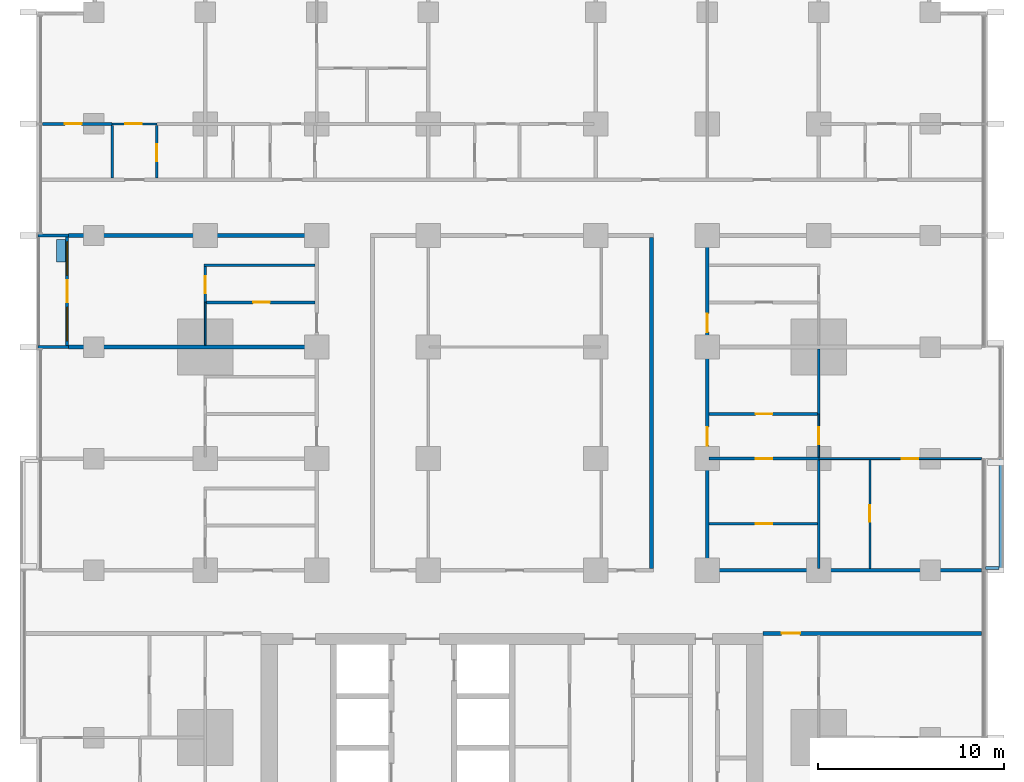
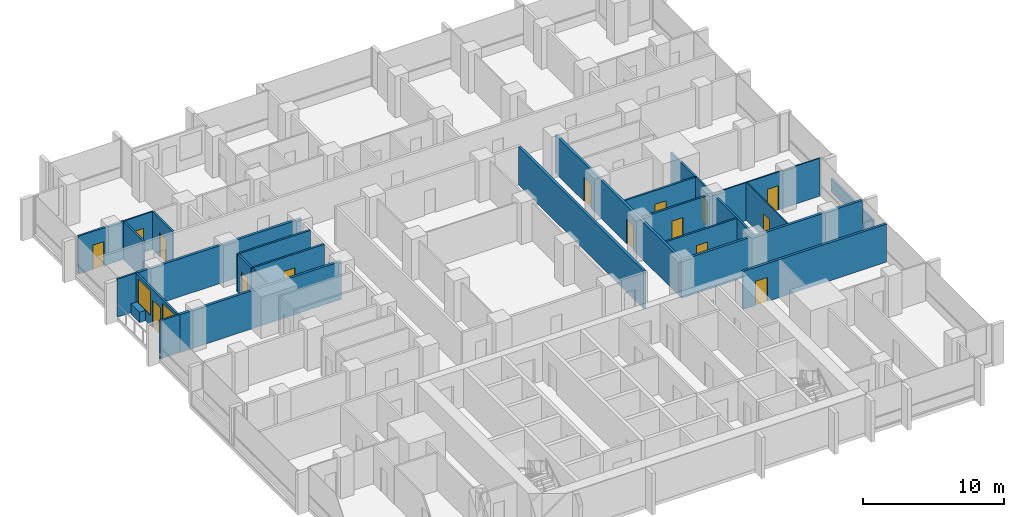
# One storey, part 10 of 17: 28 walls, 15 doors, 2 windows, 17 openings.
"""IFC4 building model written with IfcOpenShell, lengths in metres."""

from ifc_helpers import new_model, si_unit, direction, frame, frame_2d, origin, place, context, subcontext, project, spatial, rectangle, extrude, material, layer, layer_set, type_object, element, fill, save


model = new_model("IFC4")

# Units and contexts
model_context = context("Model", 3, precision=1e-05, world=origin(), true_north=direction((0.0, 1.0)))
body_context = subcontext(model_context, "Body", "Model", "MODEL_VIEW")
ifc_project = project(units=[si_unit("LENGTHUNIT", "METRE"), si_unit("AREAUNIT", "SQUARE_METRE"), si_unit("VOLUMEUNIT", "CUBIC_METRE"), si_unit("PLANEANGLEUNIT", "RADIAN"), si_unit("MASSUNIT", "GRAM", prefix="KILO")], contexts=[model_context])

# Site, building, storey
site_placement = place(None, origin())
site = spatial("IfcSite", under=ifc_project, at=site_placement, CompositionType="ELEMENT")
building_placement = place(site_placement, origin())
building = spatial("IfcBuilding", under=site, at=building_placement, Name="Finial Court Residences", CompositionType="ELEMENT")
storey_placement = place(building_placement, frame((0.0, 0.0, 61.300048828125)))
storey = spatial("IfcBuildingStorey", under=building, at=storey_placement, Name="L14", CompositionType="ELEMENT", Elevation=61.300048828125)

# Wall
ifc_material_1 = material(Name="Gypsum board")
ifc_layer_1 = layer(ifc_material_1, 0.02490234375)
ifc_material_2 = material(Name="Acoustic mineral wool in double frame")
ifc_layer_2 = layer(ifc_material_2, 0.14990234375)
ifc_layer_3 = layer(ifc_material_1, 0.02490234375)
ifc_layer_set_1 = layer_set([ifc_layer_1, ifc_layer_2, ifc_layer_3], Name="Acoustic party wall 200, 1 hour")
wall_type_1 = type_object("IfcWallType", Name="Acoustic party wall 200, 1 hour", PredefinedType="PARTITIONING", material=ifc_layer_set_1)
wall_1_placement = place(storey_placement, frame((-23.85009765625, 7.5, 0.0), z_axis=(0.0, 0.0, 1.0), x_axis=(1.0, 0.0, 0.0)))
element("IfcWall", 1, at=wall_1_placement, inside=storey, type_object=wall_type_1, Name="Partition L14-022", PredefinedType="PARTITIONING", context=body_context, shape_type="SweptSolid", body=[
    extrude(rectangle(XDim=13.25, YDim=0.199951171875, at=frame_2d((6.625, 0.0))), origin(), (0.0, 0.0, 1.0), 3.300048828125),
])

# Wall, opening, door
ifc_layer_4 = layer(ifc_material_1, 0.02490234375)
ifc_layer_5 = layer(ifc_material_2, 0.14990234375)
ifc_layer_6 = layer(ifc_material_1, 0.02490234375)
ifc_layer_set_2 = layer_set([ifc_layer_4, ifc_layer_5, ifc_layer_6], Name="Corridor wall 200, 1 hour")
wall_type_2 = type_object("IfcWallType", Name="Corridor wall 200, 1 hour", PredefinedType="PARTITIONING", material=ifc_layer_set_2)
wall_2_placement = place(storey_placement, frame((13.5, -7.89990234375, 0.0), z_axis=(0.0, 0.0, 1.0), x_axis=(1.0, 0.0, 0.0)))
wall_2 = element("IfcWall", 2, at=wall_2_placement, inside=storey, type_object=wall_type_2, Name="Partition L14-008", PredefinedType="PARTITIONING", context=body_context, shape_type="SweptSolid", body=[
    extrude(rectangle(XDim=11.75, YDim=0.199951171875, at=frame_2d((5.875, 0.0))), origin(), (0.0, 0.0, 1.0), 3.300048828125),
])
opening_1_placement = place(wall_2_placement, frame((1.0, 0.0, 0.0)))
opening_1 = element("IfcOpeningElement", 3, at=opening_1_placement, cuts=wall_2, Name="Opening L14-D006", PredefinedType="OPENING", context=body_context, shape_type="SweptSolid", body=[
    extrude(rectangle(XDim=1.0, YDim=2.10009765625, at=frame_2d((0.5, 1.050048828125))), frame((0.0, 0.10986328125, 0.0), z_axis=(0.0, -1.0, 0.0), x_axis=(1.0, 0.0, 0.0)), (0.0, 0.0, 1.0), 0.219970703125),
])
ifc_material_3 = material(Name="Timber door leaf in hollow metal frame", Category="wood")
door_type_1 = type_object("IfcDoorType", Name="Fire door set 1000 x 2100, 30 minutes", OperationType="SINGLE_SWING_LEFT", PredefinedType="DOOR", material=ifc_material_3)
door_1_placement = place(opening_1_placement, origin())
door_1 = element("IfcDoor", 4, at=door_1_placement, inside=storey, type_object=door_type_1, Name="Door L14-D006", OperationType="SINGLE_SWING_LEFT", OverallHeight=2.10009765625, OverallWidth=1.0, PredefinedType="DOOR", context=body_context, shape_type="SweptSolid", body=[
    extrude(rectangle(XDim=1.0, YDim=2.10009765625, at=frame_2d((0.5, 1.050048828125))), frame((0.0, 0.02490234375, 0.0), z_axis=(0.0, -1.0, 0.0), x_axis=(1.0, 0.0, 0.0)), (0.0, 0.0, 1.0), 0.050048828125),
])
fill(opening_1, door_1)

# Walls
wall_3_placement = place(storey_placement, frame((10.39990234375, -4.5, 0.0), z_axis=(0.0, 0.0, 1.0), x_axis=(1.0, 0.0, 0.0)))
element("IfcWall", 5, at=wall_3_placement, inside=storey, type_object=wall_type_2, Name="Partition L14-011", PredefinedType="PARTITIONING", context=body_context, shape_type="SweptSolid", body=[
    extrude(rectangle(XDim=14.85009765625, YDim=0.199951171875, at=frame_2d((7.425048828125, 0.0))), origin(), (0.0, 0.0, 1.0), 3.300048828125),
])
wall_4_placement = place(storey_placement, frame((-23.85009765625, 13.5, 0.0), z_axis=(0.0, 0.0, 1.0), x_axis=(1.0, 0.0, 0.0)))
element("IfcWall", 6, at=wall_4_placement, inside=storey, type_object=wall_type_2, Name="Partition L14-028", PredefinedType="PARTITIONING", context=body_context, shape_type="SweptSolid", body=[
    extrude(rectangle(XDim=13.4501953125, YDim=0.199951171875, at=frame_2d((6.72509765625, 0.0))), origin(), (0.0, 0.0, 1.0), 3.300048828125),
])
wall_5_placement = place(storey_placement, frame((7.5, -4.39990234375, 0.0), z_axis=(0.0, 0.0, 1.0), x_axis=(0.0, 1.0, 0.0)))
element("IfcWall", 7, at=wall_5_placement, inside=storey, type_object=wall_type_2, Name="Partition L14-075", PredefinedType="PARTITIONING", context=body_context, shape_type="SweptSolid", body=[
    extrude(rectangle(XDim=17.7998046875, YDim=0.199951171875, at=frame_2d((8.89990234375, 0.0))), origin(), (0.0, 0.0, 1.0), 3.300048828125),
])

# Wall, openings, doors
wall_6_placement = place(storey_placement, frame((10.5, -4.39990234375, 0.0), z_axis=(0.0, 0.0, 1.0), x_axis=(0.0, 1.0, 0.0)))
wall_6 = element("IfcWall", 8, at=wall_6_placement, inside=storey, type_object=wall_type_2, Name="Partition L14-076", PredefinedType="PARTITIONING", context=body_context, shape_type="SweptSolid", body=[
    extrude(rectangle(XDim=17.7998046875, YDim=0.199951171875, at=frame_2d((8.89990234375, 0.0))), origin(), (0.0, 0.0, 1.0), 3.300048828125),
])
opening_2_placement = place(wall_6_placement, frame((6.60009765625, 0.0, 0.0)))
opening_2 = element("IfcOpeningElement", 9, at=opening_2_placement, cuts=wall_6, Name="Opening L14-D050", PredefinedType="OPENING", context=body_context, shape_type="SweptSolid", body=[
    extrude(rectangle(XDim=1.0, YDim=2.10009765625, at=frame_2d((0.5, 1.050048828125))), frame((0.0, 0.10986328125, 0.0), z_axis=(0.0, -1.0, 0.0), x_axis=(1.0, 0.0, 0.0)), (0.0, 0.0, 1.0), 0.219970703125),
])
opening_3_placement = place(wall_6_placement, frame((12.699951171875, 0.0, 0.0)))
opening_3 = element("IfcOpeningElement", 10, at=opening_3_placement, cuts=wall_6, Name="Opening L14-D051", PredefinedType="OPENING", context=body_context, shape_type="SweptSolid", body=[
    extrude(rectangle(XDim=1.0, YDim=2.10009765625, at=frame_2d((0.5, 1.050048828125))), frame((0.0, 0.10986328125, 0.0), z_axis=(0.0, -1.0, 0.0), x_axis=(1.0, 0.0, 0.0)), (0.0, 0.0, 1.0), 0.219970703125),
])
door_2_placement = place(opening_2_placement, origin())
door_2 = element("IfcDoor", 11, at=door_2_placement, inside=storey, type_object=door_type_1, Name="Door L14-D050", OperationType="SINGLE_SWING_LEFT", OverallHeight=2.10009765625, OverallWidth=1.0, PredefinedType="DOOR", context=body_context, shape_type="SweptSolid", body=[
    extrude(rectangle(XDim=1.0, YDim=2.10009765625, at=frame_2d((0.5, 1.050048828125))), frame((0.0, 0.02490234375, 0.0), z_axis=(0.0, -1.0, 0.0), x_axis=(1.0, 0.0, 0.0)), (0.0, 0.0, 1.0), 0.050048828125),
])
fill(opening_2, door_2)
door_3_placement = place(opening_3_placement, origin())
door_3 = element("IfcDoor", 12, at=door_3_placement, inside=storey, type_object=door_type_1, Name="Door L14-D051", OperationType="SINGLE_SWING_RIGHT", OverallHeight=2.10009765625, OverallWidth=1.0, PredefinedType="DOOR", context=body_context, shape_type="SweptSolid", body=[
    extrude(rectangle(XDim=1.0, YDim=2.10009765625, at=frame_2d((0.5, 1.050048828125))), frame((0.0, 0.02490234375, 0.0), z_axis=(0.0, -1.0, 0.0), x_axis=(1.0, 0.0, 0.0)), (0.0, 0.0, 1.0), 0.050048828125),
])
fill(opening_3, door_3)

# Wall, opening, door
ifc_layer_7 = layer(ifc_material_1, 0.012451171875)
ifc_material_4 = material(Name="Mineral wool in light-gauge frame")
ifc_layer_8 = layer(ifc_material_4, 0.074951171875)
ifc_layer_9 = layer(ifc_material_1, 0.012451171875)
ifc_layer_set_3 = layer_set([ifc_layer_7, ifc_layer_8, ifc_layer_9], Name="Gypsum board partition 100")
wall_type_3 = type_object("IfcWallType", Name="Gypsum board partition 100", PredefinedType="PARTITIONING", material=ifc_layer_set_3)
wall_7_placement = place(storey_placement, frame((16.5, 1.5, 0.0), z_axis=(0.0, 0.0, 1.0), x_axis=(1.0, 0.0, 0.0)))
wall_7 = element("IfcWall", 13, at=wall_7_placement, inside=storey, type_object=wall_type_3, Name="Partition L14-015", PredefinedType="PARTITIONING", context=body_context, shape_type="SweptSolid", body=[
    extrude(rectangle(XDim=8.75, YDim=0.10009765625, at=frame_2d((4.375, 0.0))), origin(), (0.0, 0.0, 1.0), 3.300048828125),
])
opening_4_placement = place(wall_7_placement, frame((4.449951171875, 0.0, 0.0)))
opening_4 = element("IfcOpeningElement", 14, at=opening_4_placement, cuts=wall_7, Name="Opening L14-D012", PredefinedType="OPENING", context=body_context, shape_type="SweptSolid", body=[
    extrude(rectangle(XDim=0.89990234375, YDim=2.10009765625, at=frame_2d((0.449951171875, 1.050048828125))), frame((0.0, 0.06005859375, 0.0), z_axis=(0.0, -1.0, 0.0), x_axis=(1.0, 0.0, 0.0)), (0.0, 0.0, 1.0), 0.1201171875),
])
ifc_material_5 = material(Name="Timber door leaf in timber frame", Category="wood")
door_type_2 = type_object("IfcDoorType", Name="Door set 900 x 2100", OperationType="SINGLE_SWING_LEFT", PredefinedType="DOOR", material=ifc_material_5)
door_4_placement = place(opening_4_placement, origin())
door_4 = element("IfcDoor", 15, at=door_4_placement, inside=storey, type_object=door_type_2, Name="Door L14-D012", OperationType="SINGLE_SWING_RIGHT", OverallHeight=2.10009765625, OverallWidth=0.89990234375, PredefinedType="DOOR", context=body_context, shape_type="SweptSolid", body=[
    extrude(rectangle(XDim=0.89990234375, YDim=2.10009765625, at=frame_2d((0.449951171875, 1.050048828125))), frame((0.0, 0.02490234375, 0.0), z_axis=(0.0, -1.0, 0.0), x_axis=(1.0, 0.0, 0.0)), (0.0, 0.0, 1.0), 0.050048828125),
])
fill(opening_4, door_4)

wall_8_placement = place(storey_placement, frame((-21.5, 19.5, 0.0), z_axis=(0.0, 0.0, 1.0), x_axis=(1.0, 0.0, 0.0)))
wall_8 = element("IfcWall", 16, at=wall_8_placement, inside=storey, type_object=wall_type_3, Name="Partition L14-032", PredefinedType="PARTITIONING", context=body_context, shape_type="SweptSolid", body=[
    extrude(rectangle(XDim=2.39990234375, YDim=0.10009765625, at=frame_2d((1.199951171875, 0.0))), origin(), (0.0, 0.0, 1.0), 3.300048828125),
])
opening_5_placement = place(wall_8_placement, frame((0.699951171875, 0.0, 0.0)))
opening_5 = element("IfcOpeningElement", 17, at=opening_5_placement, cuts=wall_8, Name="Opening L14-D024", PredefinedType="OPENING", context=body_context, shape_type="SweptSolid", body=[
    extrude(rectangle(XDim=0.89990234375, YDim=2.10009765625, at=frame_2d((0.449951171875, 1.050048828125))), frame((0.0, 0.06005859375, 0.0), z_axis=(0.0, -1.0, 0.0), x_axis=(1.0, 0.0, 0.0)), (0.0, 0.0, 1.0), 0.1201171875),
])
door_5_placement = place(opening_5_placement, origin())
door_5 = element("IfcDoor", 18, at=door_5_placement, inside=storey, type_object=door_type_2, Name="Door L14-D024", OperationType="SINGLE_SWING_RIGHT", OverallHeight=2.10009765625, OverallWidth=0.89990234375, PredefinedType="DOOR", context=body_context, shape_type="SweptSolid", body=[
    extrude(rectangle(XDim=0.89990234375, YDim=2.10009765625, at=frame_2d((0.449951171875, 1.050048828125))), frame((0.0, 0.02490234375, 0.0), z_axis=(0.0, -1.0, 0.0), x_axis=(1.0, 0.0, 0.0)), (0.0, 0.0, 1.0), 0.050048828125),
])
fill(opening_5, door_5)

# Wall
wall_9_placement = place(storey_placement, frame((-16.5, 7.60009765625, 0.0), z_axis=(0.0, 0.0, 1.0), x_axis=(0.0, 1.0, 0.0)))
element("IfcWall", 19, at=wall_9_placement, inside=storey, type_object=wall_type_3, Name="Partition L14-052", PredefinedType="PARTITIONING", context=body_context, shape_type="SweptSolid", body=[
    extrude(rectangle(XDim=2.2998046875, YDim=0.10009765625, at=frame_2d((1.14990234375, 0.0))), origin(), (0.0, 0.0, 1.0), 3.300048828125),
])

# Wall, opening, door
wall_10_placement = place(storey_placement, frame((16.5, 1.574951171875, 0.0), z_axis=(0.0, 0.0, 1.0), x_axis=(0.0, 1.0, 0.0)))
wall_10 = element("IfcWall", 20, at=wall_10_placement, inside=storey, type_object=wall_type_3, Name="Partition L14-080", PredefinedType="PARTITIONING", context=body_context, shape_type="SweptSolid", body=[
    extrude(rectangle(XDim=2.324951171875, YDim=0.10009765625, at=frame_2d((1.16259765625, 0.0))), origin(), (0.0, 0.0, 1.0), 3.300048828125),
])
opening_6_placement = place(wall_10_placement, frame((0.699951171875, 0.0, 0.0)))
opening_6 = element("IfcOpeningElement", 21, at=opening_6_placement, cuts=wall_10, Name="Opening L14-D053", PredefinedType="OPENING", context=body_context, shape_type="SweptSolid", body=[
    extrude(rectangle(XDim=0.89990234375, YDim=2.10009765625, at=frame_2d((0.449951171875, 1.050048828125))), frame((0.0, 0.06005859375, 0.0), z_axis=(0.0, -1.0, 0.0), x_axis=(1.0, 0.0, 0.0)), (0.0, 0.0, 1.0), 0.1201171875),
])
door_6_placement = place(opening_6_placement, origin())
door_6 = element("IfcDoor", 22, at=door_6_placement, inside=storey, type_object=door_type_2, Name="Door L14-D053", OperationType="SINGLE_SWING_LEFT", OverallHeight=2.10009765625, OverallWidth=0.89990234375, PredefinedType="DOOR", context=body_context, shape_type="SweptSolid", body=[
    extrude(rectangle(XDim=0.89990234375, YDim=2.10009765625, at=frame_2d((0.449951171875, 1.050048828125))), frame((0.0, 0.02490234375, 0.0), z_axis=(0.0, -1.0, 0.0), x_axis=(1.0, 0.0, 0.0)), (0.0, 0.0, 1.0), 0.050048828125),
])
fill(opening_6, door_6)

wall_11_placement = place(storey_placement, frame((19.25, -4.39990234375, 0.0), z_axis=(0.0, 0.0, 1.0), x_axis=(0.0, 1.0, 0.0)))
wall_11 = element("IfcWall", 23, at=wall_11_placement, inside=storey, type_object=wall_type_3, Name="Partition L14-087", PredefinedType="PARTITIONING", context=body_context, shape_type="SweptSolid", body=[
    extrude(rectangle(XDim=5.849853515625, YDim=0.10009765625, at=frame_2d((2.9248046875, 0.0))), origin(), (0.0, 0.0, 1.0), 3.300048828125),
])
opening_7_placement = place(wall_11_placement, frame((2.5, 0.0, 0.0)))
opening_7 = element("IfcOpeningElement", 24, at=opening_7_placement, cuts=wall_11, Name="Opening L14-D056", PredefinedType="OPENING", context=body_context, shape_type="SweptSolid", body=[
    extrude(rectangle(XDim=0.89990234375, YDim=2.10009765625, at=frame_2d((0.449951171875, 1.050048828125))), frame((0.0, 0.06005859375, 0.0), z_axis=(0.0, -1.0, 0.0), x_axis=(1.0, 0.0, 0.0)), (0.0, 0.0, 1.0), 0.1201171875),
])
door_7_placement = place(opening_7_placement, origin())
door_7 = element("IfcDoor", 25, at=door_7_placement, inside=storey, type_object=door_type_2, Name="Door L14-D056", OperationType="SINGLE_SWING_LEFT", OverallHeight=2.10009765625, OverallWidth=0.89990234375, PredefinedType="DOOR", context=body_context, shape_type="SweptSolid", body=[
    extrude(rectangle(XDim=0.89990234375, YDim=2.10009765625, at=frame_2d((0.449951171875, 1.050048828125))), frame((0.0, 0.02490234375, 0.0), z_axis=(0.0, -1.0, 0.0), x_axis=(1.0, 0.0, 0.0)), (0.0, 0.0, 1.0), 0.050048828125),
])
fill(opening_7, door_7)

ifc_material_6 = material(Name="Moisture-resistant gypsum board")
ifc_layer_10 = layer(ifc_material_6, 0.012451171875)
ifc_layer_11 = layer(ifc_material_4, 0.125)
ifc_layer_12 = layer(ifc_material_6, 0.012451171875)
ifc_layer_set_4 = layer_set([ifc_layer_10, ifc_layer_11, ifc_layer_12], Name="Gypsum board wet-area partition 150")
wall_type_4 = type_object("IfcWallType", Name="Gypsum board wet-area partition 150", PredefinedType="PARTITIONING", material=ifc_layer_set_4)
wall_12_placement = place(storey_placement, frame((10.60009765625, -2.0, 0.0), z_axis=(0.0, 0.0, 1.0), x_axis=(1.0, 0.0, 0.0)))
wall_12 = element("IfcWall", 26, at=wall_12_placement, inside=storey, type_object=wall_type_4, Name="Partition L14-013", PredefinedType="PARTITIONING", context=body_context, shape_type="SweptSolid", body=[
    extrude(rectangle(XDim=5.824951171875, YDim=0.14990234375, at=frame_2d((2.91259765625, 0.0))), origin(), (0.0, 0.0, 1.0), 3.300048828125),
])
opening_8_placement = place(wall_12_placement, frame((2.5, 0.0, 0.0)))
opening_8 = element("IfcOpeningElement", 27, at=opening_8_placement, cuts=wall_12, Name="Opening L14-D011", PredefinedType="OPENING", context=body_context, shape_type="SweptSolid", body=[
    extrude(rectangle(XDim=0.89990234375, YDim=2.10009765625, at=frame_2d((0.449951171875, 1.050048828125))), frame((0.0, 0.0849609375, 0.0), z_axis=(0.0, -1.0, 0.0), x_axis=(1.0, 0.0, 0.0)), (0.0, 0.0, 1.0), 0.169921875),
])
door_8_placement = place(opening_8_placement, origin())
door_8 = element("IfcDoor", 28, at=door_8_placement, inside=storey, type_object=door_type_2, Name="Door L14-D011", OperationType="SINGLE_SWING_RIGHT", OverallHeight=2.10009765625, OverallWidth=0.89990234375, PredefinedType="DOOR", context=body_context, shape_type="SweptSolid", body=[
    extrude(rectangle(XDim=0.89990234375, YDim=2.10009765625, at=frame_2d((0.449951171875, 1.050048828125))), frame((0.0, 0.02490234375, 0.0), z_axis=(0.0, -1.0, 0.0), x_axis=(1.0, 0.0, 0.0)), (0.0, 0.0, 1.0), 0.050048828125),
])
fill(opening_8, door_8)

wall_13_placement = place(storey_placement, frame((10.60009765625, 1.5, 0.0), z_axis=(0.0, 0.0, 1.0), x_axis=(1.0, 0.0, 0.0)))
wall_13 = element("IfcWall", 29, at=wall_13_placement, inside=storey, type_object=wall_type_4, Name="Partition L14-017", PredefinedType="PARTITIONING", context=body_context, shape_type="SweptSolid", body=[
    extrude(rectangle(XDim=5.89990234375, YDim=0.14990234375, at=frame_2d((2.949951171875, 0.0))), origin(), (0.0, 0.0, 1.0), 3.300048828125),
])
opening_9_placement = place(wall_13_placement, frame((2.5, 0.0, 0.0)))
opening_9 = element("IfcOpeningElement", 30, at=opening_9_placement, cuts=wall_13, Name="Opening L14-D013", PredefinedType="OPENING", context=body_context, shape_type="SweptSolid", body=[
    extrude(rectangle(XDim=0.89990234375, YDim=2.10009765625, at=frame_2d((0.449951171875, 1.050048828125))), frame((0.0, 0.0849609375, 0.0), z_axis=(0.0, -1.0, 0.0), x_axis=(1.0, 0.0, 0.0)), (0.0, 0.0, 1.0), 0.169921875),
])
door_9_placement = place(opening_9_placement, origin())
door_9 = element("IfcDoor", 31, at=door_9_placement, inside=storey, type_object=door_type_2, Name="Door L14-D013", OperationType="SINGLE_SWING_RIGHT", OverallHeight=2.10009765625, OverallWidth=0.89990234375, PredefinedType="DOOR", context=body_context, shape_type="SweptSolid", body=[
    extrude(rectangle(XDim=0.89990234375, YDim=2.10009765625, at=frame_2d((0.449951171875, 1.050048828125))), frame((0.0, 0.02490234375, 0.0), z_axis=(0.0, -1.0, 0.0), x_axis=(1.0, 0.0, 0.0)), (0.0, 0.0, 1.0), 0.050048828125),
])
fill(opening_9, door_9)

wall_14_placement = place(storey_placement, frame((10.60009765625, 3.89990234375, 0.0), z_axis=(0.0, 0.0, 1.0), x_axis=(1.0, 0.0, 0.0)))
wall_14 = element("IfcWall", 32, at=wall_14_placement, inside=storey, type_object=wall_type_4, Name="Partition L14-019", PredefinedType="PARTITIONING", context=body_context, shape_type="SweptSolid", body=[
    extrude(rectangle(XDim=5.824951171875, YDim=0.14990234375, at=frame_2d((2.91259765625, 0.0))), origin(), (0.0, 0.0, 1.0), 3.300048828125),
])
opening_10_placement = place(wall_14_placement, frame((2.5, 0.0, 0.0)))
opening_10 = element("IfcOpeningElement", 33, at=opening_10_placement, cuts=wall_14, Name="Opening L14-D014", PredefinedType="OPENING", context=body_context, shape_type="SweptSolid", body=[
    extrude(rectangle(XDim=0.89990234375, YDim=2.10009765625, at=frame_2d((0.449951171875, 1.050048828125))), frame((0.0, 0.0849609375, 0.0), z_axis=(0.0, -1.0, 0.0), x_axis=(1.0, 0.0, 0.0)), (0.0, 0.0, 1.0), 0.169921875),
])
door_10_placement = place(opening_10_placement, origin())
door_10 = element("IfcDoor", 34, at=door_10_placement, inside=storey, type_object=door_type_2, Name="Door L14-D014", OperationType="SINGLE_SWING_LEFT", OverallHeight=2.10009765625, OverallWidth=0.89990234375, PredefinedType="DOOR", context=body_context, shape_type="SweptSolid", body=[
    extrude(rectangle(XDim=0.89990234375, YDim=2.10009765625, at=frame_2d((0.449951171875, 1.050048828125))), frame((0.0, 0.02490234375, 0.0), z_axis=(0.0, -1.0, 0.0), x_axis=(1.0, 0.0, 0.0)), (0.0, 0.0, 1.0), 0.050048828125),
])
fill(opening_10, door_10)

wall_15_placement = place(storey_placement, frame((-16.425048828125, 9.89990234375, 0.0), z_axis=(0.0, 0.0, 1.0), x_axis=(1.0, 0.0, 0.0)))
wall_15 = element("IfcWall", 35, at=wall_15_placement, inside=storey, type_object=wall_type_4, Name="Partition L14-024", PredefinedType="PARTITIONING", context=body_context, shape_type="SweptSolid", body=[
    extrude(rectangle(XDim=5.824951171875, YDim=0.14990234375, at=frame_2d((2.91259765625, 0.0))), origin(), (0.0, 0.0, 1.0), 3.300048828125),
])
opening_11_placement = place(wall_15_placement, frame((2.5, 0.0, 0.0)))
opening_11 = element("IfcOpeningElement", 36, at=opening_11_placement, cuts=wall_15, Name="Opening L14-D015", PredefinedType="OPENING", context=body_context, shape_type="SweptSolid", body=[
    extrude(rectangle(XDim=0.89990234375, YDim=2.10009765625, at=frame_2d((0.449951171875, 1.050048828125))), frame((0.0, 0.0849609375, 0.0), z_axis=(0.0, -1.0, 0.0), x_axis=(1.0, 0.0, 0.0)), (0.0, 0.0, 1.0), 0.169921875),
])
door_11_placement = place(opening_11_placement, origin())
door_11 = element("IfcDoor", 37, at=door_11_placement, inside=storey, type_object=door_type_2, Name="Door L14-D015", OperationType="SINGLE_SWING_RIGHT", OverallHeight=2.10009765625, OverallWidth=0.89990234375, PredefinedType="DOOR", context=body_context, shape_type="SweptSolid", body=[
    extrude(rectangle(XDim=0.89990234375, YDim=2.10009765625, at=frame_2d((0.449951171875, 1.050048828125))), frame((0.0, 0.02490234375, 0.0), z_axis=(0.0, -1.0, 0.0), x_axis=(1.0, 0.0, 0.0)), (0.0, 0.0, 1.0), 0.050048828125),
])
fill(opening_11, door_11)

# Wall
wall_16_placement = place(storey_placement, frame((-16.574951171875, 11.89990234375, 0.0), z_axis=(0.0, 0.0, 1.0), x_axis=(1.0, 0.0, 0.0)))
element("IfcWall", 38, at=wall_16_placement, inside=storey, type_object=wall_type_4, Name="Partition L14-026", PredefinedType="PARTITIONING", context=body_context, shape_type="SweptSolid", body=[
    extrude(rectangle(XDim=5.974853515625, YDim=0.14990234375, at=frame_2d((2.9873046875, 0.0))), origin(), (0.0, 0.0, 1.0), 3.300048828125),
])

# Wall, opening, door
wall_17_placement = place(storey_placement, frame((-25.25, 19.5, 0.0), z_axis=(0.0, 0.0, 1.0), x_axis=(1.0, 0.0, 0.0)))
wall_17 = element("IfcWall", 39, at=wall_17_placement, inside=storey, type_object=wall_type_4, Name="Partition L14-036", PredefinedType="PARTITIONING", context=body_context, shape_type="SweptSolid", body=[
    extrude(rectangle(XDim=3.75, YDim=0.14990234375, at=frame_2d((1.875, 0.0))), origin(), (0.0, 0.0, 1.0), 3.300048828125),
])
opening_12_placement = place(wall_17_placement, frame((1.199951171875, 0.0, 0.0)))
opening_12 = element("IfcOpeningElement", 40, at=opening_12_placement, cuts=wall_17, Name="Opening L14-D028", PredefinedType="OPENING", context=body_context, shape_type="SweptSolid", body=[
    extrude(rectangle(XDim=0.89990234375, YDim=2.10009765625, at=frame_2d((0.449951171875, 1.050048828125))), frame((0.0, 0.0849609375, 0.0), z_axis=(0.0, -1.0, 0.0), x_axis=(1.0, 0.0, 0.0)), (0.0, 0.0, 1.0), 0.169921875),
])
door_12_placement = place(opening_12_placement, origin())
door_12 = element("IfcDoor", 41, at=door_12_placement, inside=storey, type_object=door_type_2, Name="Door L14-D028", OperationType="SINGLE_SWING_LEFT", OverallHeight=2.10009765625, OverallWidth=0.89990234375, PredefinedType="DOOR", context=body_context, shape_type="SweptSolid", body=[
    extrude(rectangle(XDim=0.89990234375, YDim=2.10009765625, at=frame_2d((0.449951171875, 1.050048828125))), frame((0.0, 0.02490234375, 0.0), z_axis=(0.0, -1.0, 0.0), x_axis=(1.0, 0.0, 0.0)), (0.0, 0.0, 1.0), 0.050048828125),
])
fill(opening_12, door_12)

# Wall
wall_18_placement = place(storey_placement, frame((-21.5, 16.60009765625, 0.0), z_axis=(0.0, 0.0, 1.0), x_axis=(0.0, 1.0, 0.0)))
element("IfcWall", 42, at=wall_18_placement, inside=storey, type_object=wall_type_4, Name="Partition L14-044", PredefinedType="PARTITIONING", context=body_context, shape_type="SweptSolid", body=[
    extrude(rectangle(XDim=2.824951171875, YDim=0.14990234375, at=frame_2d((1.41259765625, 0.0))), origin(), (0.0, 0.0, 1.0), 3.300048828125),
])

# Wall, opening, door
wall_19_placement = place(storey_placement, frame((-19.10009765625, 16.60009765625, 0.0), z_axis=(0.0, 0.0, 1.0), x_axis=(0.0, 1.0, 0.0)))
wall_19 = element("IfcWall", 43, at=wall_19_placement, inside=storey, type_object=wall_type_4, Name="Partition L14-048", PredefinedType="PARTITIONING", context=body_context, shape_type="SweptSolid", body=[
    extrude(rectangle(XDim=2.824951171875, YDim=0.14990234375, at=frame_2d((1.41259765625, 0.0))), origin(), (0.0, 0.0, 1.0), 3.300048828125),
])
opening_13_placement = place(wall_19_placement, frame((0.89990234375, 0.0, 0.0)))
opening_13 = element("IfcOpeningElement", 44, at=opening_13_placement, cuts=wall_19, Name="Opening L14-D036", PredefinedType="OPENING", context=body_context, shape_type="SweptSolid", body=[
    extrude(rectangle(XDim=0.89990234375, YDim=2.10009765625, at=frame_2d((0.449951171875, 1.050048828125))), frame((0.0, 0.0849609375, 0.0), z_axis=(0.0, -1.0, 0.0), x_axis=(1.0, 0.0, 0.0)), (0.0, 0.0, 1.0), 0.169921875),
])
door_13_placement = place(opening_13_placement, origin())
door_13 = element("IfcDoor", 45, at=door_13_placement, inside=storey, type_object=door_type_2, Name="Door L14-D036", OperationType="SINGLE_SWING_RIGHT", OverallHeight=2.10009765625, OverallWidth=0.89990234375, PredefinedType="DOOR", context=body_context, shape_type="SweptSolid", body=[
    extrude(rectangle(XDim=0.89990234375, YDim=2.10009765625, at=frame_2d((0.449951171875, 1.050048828125))), frame((0.0, 0.02490234375, 0.0), z_axis=(0.0, -1.0, 0.0), x_axis=(1.0, 0.0, 0.0)), (0.0, 0.0, 1.0), 0.050048828125),
])
fill(opening_13, door_13)

wall_20_placement = place(storey_placement, frame((-16.5, 9.89990234375, 0.0), z_axis=(0.0, 0.0, 1.0), x_axis=(0.0, 1.0, 0.0)))
wall_20 = element("IfcWall", 46, at=wall_20_placement, inside=storey, type_object=wall_type_4, Name="Partition L14-059", PredefinedType="PARTITIONING", context=body_context, shape_type="SweptSolid", body=[
    extrude(rectangle(XDim=1.925048828125, YDim=0.14990234375, at=frame_2d((0.96240234375, 0.0))), origin(), (0.0, 0.0, 1.0), 3.300048828125),
])
opening_14_placement = place(wall_20_placement, frame((0.5, 0.0, 0.0)))
opening_14 = element("IfcOpeningElement", 47, at=opening_14_placement, cuts=wall_20, Name="Opening L14-D042", PredefinedType="OPENING", context=body_context, shape_type="SweptSolid", body=[
    extrude(rectangle(XDim=0.89990234375, YDim=2.10009765625, at=frame_2d((0.449951171875, 1.050048828125))), frame((0.0, 0.0849609375, 0.0), z_axis=(0.0, -1.0, 0.0), x_axis=(1.0, 0.0, 0.0)), (0.0, 0.0, 1.0), 0.169921875),
])
door_14_placement = place(opening_14_placement, origin())
door_14 = element("IfcDoor", 48, at=door_14_placement, inside=storey, type_object=door_type_2, Name="Door L14-D042", OperationType="SINGLE_SWING_RIGHT", OverallHeight=2.10009765625, OverallWidth=0.89990234375, PredefinedType="DOOR", context=body_context, shape_type="SweptSolid", body=[
    extrude(rectangle(XDim=0.89990234375, YDim=2.10009765625, at=frame_2d((0.449951171875, 1.050048828125))), frame((0.0, 0.02490234375, 0.0), z_axis=(0.0, -1.0, 0.0), x_axis=(1.0, 0.0, 0.0)), (0.0, 0.0, 1.0), 0.050048828125),
])
fill(opening_14, door_14)

# Walls
wall_21_placement = place(storey_placement, frame((16.5, -4.39990234375, 0.0), z_axis=(0.0, 0.0, 1.0), x_axis=(0.0, 1.0, 0.0)))
element("IfcWall", 49, at=wall_21_placement, inside=storey, type_object=wall_type_4, Name="Partition L14-083", PredefinedType="PARTITIONING", context=body_context, shape_type="SweptSolid", body=[
    extrude(rectangle(XDim=5.824951171875, YDim=0.14990234375, at=frame_2d((2.91259765625, 0.0))), origin(), (0.0, 0.0, 1.0), 3.300048828125),
])
wall_22_placement = place(storey_placement, frame((16.5, 3.89990234375, 0.0), z_axis=(0.0, 0.0, 1.0), x_axis=(0.0, 1.0, 0.0)))
element("IfcWall", 50, at=wall_22_placement, inside=storey, type_object=wall_type_4, Name="Partition L14-084", PredefinedType="PARTITIONING", context=body_context, shape_type="SweptSolid", body=[
    extrude(rectangle(XDim=3.5, YDim=0.14990234375, at=frame_2d((1.75, 0.0))), origin(), (0.0, 0.0, 1.0), 3.300048828125),
])
ifc_material_7 = material(Name="Concrete C35/45", Category="concrete")
ifc_layer_13 = layer(ifc_material_7, 0.14990234375)
ifc_layer_set_5 = layer_set([ifc_layer_13], Name="Ledge parapet, Concrete C35/45 150")
wall_type_5 = type_object("IfcWallType", Name="Ledge parapet, Concrete C35/45 150", PredefinedType="PARAPET", material=ifc_layer_set_5)
wall_23_placement = place(storey_placement, frame((26.27490234375, 1.5400390625, 0.0), z_axis=(0.0, 0.0, 1.0), x_axis=(0.0, -1.0, 0.0)))
element("IfcWall", 51, at=wall_23_placement, inside=storey, type_object=wall_type_5, Name="E-L14-LED1-P1", PredefinedType="PARAPET", context=body_context, shape_type="SweptSolid", body=[
    extrude(rectangle(XDim=5.989990234375, YDim=0.14990234375, at=frame_2d((2.9951171875, 0.0))), origin(), (0.0, 0.0, 1.0), 1.14990234375),
])
wall_24_placement = place(storey_placement, frame((26.199951171875, -4.375, 0.0), z_axis=(0.0, 0.0, 1.0), x_axis=(-1.0, 0.0, 0.0)))
element("IfcWall", 52, at=wall_24_placement, inside=storey, type_object=wall_type_5, Name="E-L14-LED1-P2", PredefinedType="PARAPET", context=body_context, shape_type="SweptSolid", body=[
    extrude(rectangle(XDim=0.739990234375, YDim=0.14990234375, at=frame_2d((0.3701171875, 0.0))), origin(), (0.0, 0.0, 1.0), 1.14990234375),
])
ifc_material_8 = material(Name="Natural limestone", Category="masonry")
ifc_layer_14 = layer(ifc_material_8, 0.14990234375)
ifc_layer_set_6 = layer_set([ifc_layer_14], Name="Limestone clad wall 150")
wall_type_6 = type_object("IfcWallType", Name="Limestone clad wall 150", PredefinedType="SOLIDWALL", material=ifc_layer_set_6)
for number, where, z_axis, x_axis, name in (
    (53, (-23.85009765625, 7.5, 0.0), (0.0, 0.0, 1.0), (-1.0, 0.0, 0.0), "E-L14-BALW5-P1"),
    (54, (-23.85009765625, 13.5, 0.0), (0.0, 0.0, 1.0), (-1.0, 0.0, 0.0), "E-L14-BALW5-P2"),
):
    element("IfcWall", number, at=place(storey_placement, frame(where, z_axis=z_axis, x_axis=x_axis)), inside=storey, type_object=wall_type_6, Name=name, PredefinedType="SOLIDWALL", context=body_context, shape_type="SweptSolid", body=[
        extrude(rectangle(XDim=1.64990234375, YDim=0.14990234375, at=frame_2d((0.824951171875, 0.0))), origin(), (0.0, 0.0, 1.0), 3.300048828125),
    ])

# Wall, openings, door, windows
wall_25_placement = place(storey_placement, frame((-23.925048828125, 7.574951171875, 0.0), z_axis=(0.0, 0.0, 1.0), x_axis=(0.0, 1.0, 0.0)))
wall_25 = element("IfcWall", 55, at=wall_25_placement, inside=storey, type_object=wall_type_6, Name="E-L14-L14-BALW5-W", PredefinedType="SOLIDWALL", context=body_context, shape_type="SweptSolid", body=[
    extrude(rectangle(XDim=5.85009765625, YDim=0.14990234375, at=frame_2d((2.925048828125, 0.0))), origin(), (0.0, 0.0, 1.0), 3.300048828125),
])
opening_15_placement = place(wall_25_placement, frame((2.324951171875, 0.0, 0.0)))
opening_15 = element("IfcOpeningElement", 56, at=opening_15_placement, cuts=wall_25, Name="Opening DE14-02", PredefinedType="OPENING", context=body_context, shape_type="SweptSolid", body=[
    extrude(rectangle(XDim=1.199951171875, YDim=2.39990234375, at=frame_2d((0.60009765625, 1.199951171875))), frame((0.0, 0.0849609375, 0.0), z_axis=(0.0, -1.0, 0.0), x_axis=(1.0, 0.0, 0.0)), (0.0, 0.0, 1.0), 0.169921875),
])
opening_16_placement = place(wall_25_placement, frame((0.262451171875, 0.0, 0.89990234375)))
opening_16 = element("IfcOpeningElement", 57, at=opening_16_placement, cuts=wall_25, Name="Opening WE14-11", PredefinedType="OPENING", context=body_context, shape_type="SweptSolid", body=[
    extrude(rectangle(XDim=1.800048828125, YDim=2.10009765625, at=frame_2d((0.89990234375, 1.050048828125))), frame((0.0, 0.0849609375, 0.0), z_axis=(0.0, -1.0, 0.0), x_axis=(1.0, 0.0, 0.0)), (0.0, 0.0, 1.0), 0.169921875),
])
opening_17_placement = place(wall_25_placement, frame((3.78759765625, 0.0, 0.89990234375)))
opening_17 = element("IfcOpeningElement", 58, at=opening_17_placement, cuts=wall_25, Name="Opening WE14-12", PredefinedType="OPENING", context=body_context, shape_type="SweptSolid", body=[
    extrude(rectangle(XDim=1.800048828125, YDim=2.10009765625, at=frame_2d((0.89990234375, 1.050048828125))), frame((0.0, 0.0849609375, 0.0), z_axis=(0.0, -1.0, 0.0), x_axis=(1.0, 0.0, 0.0)), (0.0, 0.0, 1.0), 0.169921875),
])
ifc_material_9 = material(Name="Bronze anodised aluminium", Category="aluminium")
door_type_3 = type_object("IfcDoorType", Name="Balcony door 1200 x 2400", OperationType="SINGLE_SWING_LEFT", PredefinedType="DOOR", material=ifc_material_9)
door_15_placement = place(opening_15_placement, origin())
door_15 = element("IfcDoor", 59, at=door_15_placement, inside=storey, type_object=door_type_3, Name="E-L14-L14-BALW5-W-D", OperationType="SINGLE_SWING_RIGHT", OverallHeight=2.39990234375, OverallWidth=1.199951171875, PredefinedType="DOOR", context=body_context, shape_type="SweptSolid", body=[
    extrude(rectangle(XDim=1.199951171875, YDim=2.39990234375, at=frame_2d((0.60009765625, 1.199951171875))), frame((0.0, 0.02490234375, 0.0), z_axis=(0.0, -1.0, 0.0), x_axis=(1.0, 0.0, 0.0)), (0.0, 0.0, 1.0), 0.050048828125),
])
fill(opening_15, door_15)
ifc_material_10 = material(Name="Clear low-e glass", Category="glass")
window_type = type_object("IfcWindowType", Name="Balcony window 1800 x 2100", PartitioningType="SINGLE_PANEL", PredefinedType="WINDOW", material=ifc_material_10)
window_1_placement = place(opening_16_placement, origin())
window_1 = element("IfcWindow", 60, at=window_1_placement, inside=storey, type_object=window_type, Name="E-L14-L14-BALW5-W-W1", OverallHeight=2.10009765625, OverallWidth=1.800048828125, PartitioningType="SINGLE_PANEL", PredefinedType="WINDOW", context=body_context, shape_type="SweptSolid", body=[
    extrude(rectangle(XDim=1.800048828125, YDim=2.10009765625, at=frame_2d((0.89990234375, 1.050048828125))), frame((0.0, 0.030029296875, 0.0), z_axis=(0.0, -1.0, 0.0), x_axis=(1.0, 0.0, 0.0)), (0.0, 0.0, 1.0), 0.06005859375),
])
fill(opening_16, window_1)
window_2_placement = place(opening_17_placement, origin())
window_2 = element("IfcWindow", 61, at=window_2_placement, inside=storey, type_object=window_type, Name="E-L14-L14-BALW5-W-W2", OverallHeight=2.10009765625, OverallWidth=1.800048828125, PartitioningType="SINGLE_PANEL", PredefinedType="WINDOW", context=body_context, shape_type="SweptSolid", body=[
    extrude(rectangle(XDim=1.800048828125, YDim=2.10009765625, at=frame_2d((0.89990234375, 1.050048828125))), frame((0.0, 0.030029296875, 0.0), z_axis=(0.0, -1.0, 0.0), x_axis=(1.0, 0.0, 0.0)), (0.0, 0.0, 1.0), 0.06005859375),
])
fill(opening_17, window_2)

# Wall
ifc_material_11 = material(Name="Concrete C40/50", Category="concrete")
ifc_layer_15 = layer(ifc_material_11, 0.10009765625)
ifc_material_12 = material(Name="Planting soil", Category="soil")
ifc_layer_16 = layer(ifc_material_12, 0.300048828125)
ifc_layer_17 = layer(ifc_material_11, 0.10009765625)
ifc_layer_set_7 = layer_set([ifc_layer_15, ifc_layer_16, ifc_layer_17], Name="Planter wall, balcony")
wall_type_7 = type_object("IfcWallType", Name="Planter wall, balcony", PredefinedType="USERDEFINED", material=ifc_layer_set_7)
wall_26_placement = place(storey_placement, frame((-24.25, 12.074951171875, 0.0), z_axis=(0.0, 0.0, 1.0), x_axis=(0.0, 1.0, 0.0)))
element("IfcWall", 62, at=wall_26_placement, inside=storey, type_object=wall_type_7, Name="E-L14-BALW5-PL", ObjectType="PLANTER", PredefinedType="USERDEFINED", context=body_context, shape_type="SweptSolid", body=[
    extrude(rectangle(XDim=1.199951171875, YDim=0.5, at=frame_2d((0.60009765625, 0.0))), origin(), (0.0, 0.0, 1.0), 0.89990234375),
])

save(model, "model.ifc")
